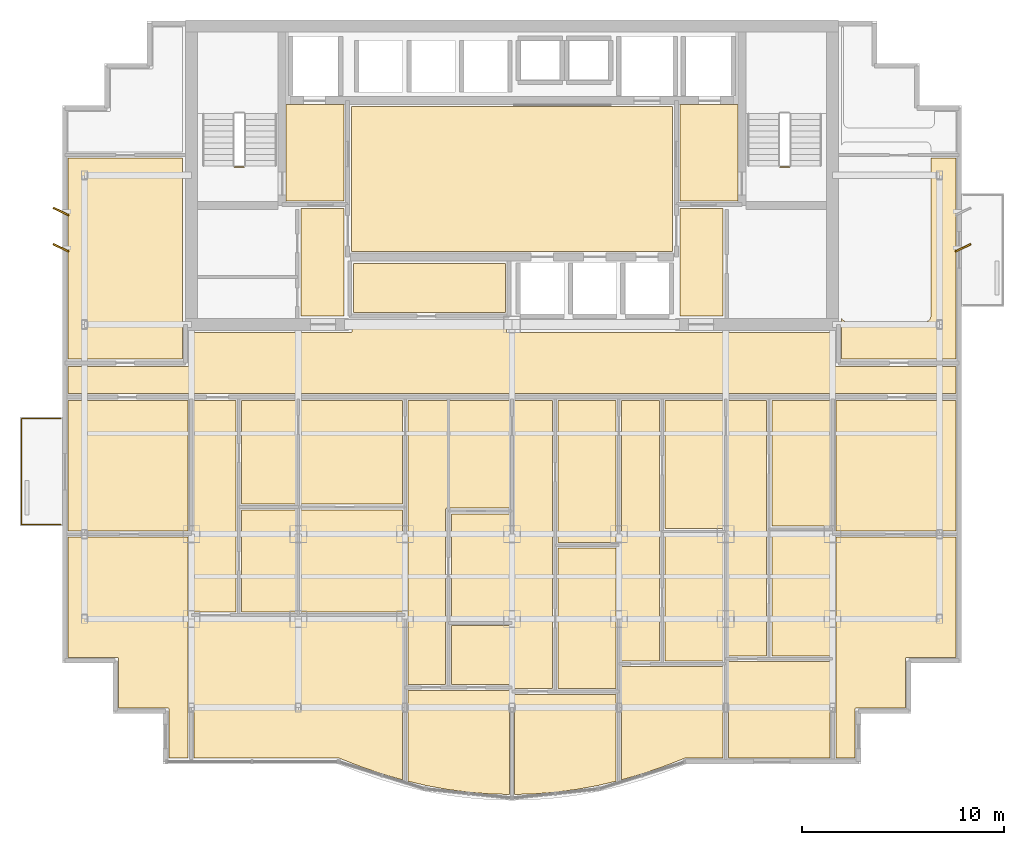
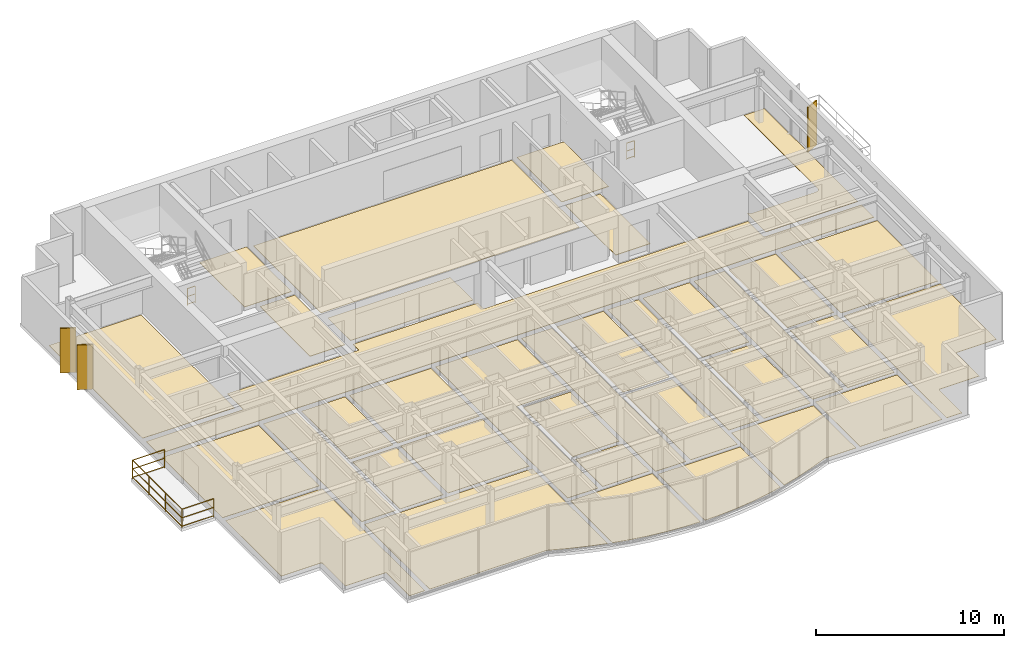
# One storey, part 10 of 11: 35 coverings, 3 railings, 3 shading devices.
"""IFC4 building model written with IfcOpenShell, lengths in metres."""

from ifc_helpers import new_model, si_unit, direction, frame, origin, origin_2d, place, context, subcontext, project, spatial, polyline, rectangle, circle, outline, extrude, source, transform, mapped, material, layer, layer_set, type_object, element, save


model = new_model("IFC4")

# Units and contexts
model_context = context("Model", 3, precision=1e-05, world=origin(), true_north=direction((0.0, 1.0)))
body_context = subcontext(model_context, "Body", "Model", "MODEL_VIEW")
ifc_project = project(units=[si_unit("LENGTHUNIT", "METRE"), si_unit("AREAUNIT", "SQUARE_METRE"), si_unit("VOLUMEUNIT", "CUBIC_METRE"), si_unit("PLANEANGLEUNIT", "RADIAN"), si_unit("MASSUNIT", "GRAM", prefix="KILO")], contexts=[model_context])

# Site, building, storey
site_placement = place(None, origin())
site = spatial("IfcSite", under=ifc_project, at=site_placement, CompositionType="ELEMENT")
building_placement = place(site_placement, origin())
building = spatial("IfcBuilding", under=site, at=building_placement, Name="Qianlan Lanfeng Residences", CompositionType="ELEMENT")
storey_placement = place(building_placement, frame((0.0, 0.0, 172.199951171875)))
storey = spatial("IfcBuildingStorey", under=building, at=storey_placement, Name="L47", CompositionType="ELEMENT", Elevation=172.199951171875)

# Coverings
ifc_material_1 = material(Name="Honed Taitung Granite Stone Flooring", Category="masonry")
ifc_layer_1 = layer(ifc_material_1, 0.030029296875)
ifc_layer_set_1 = layer_set([ifc_layer_1], Name="Honed Taitung Granite Stone Flooring")
covering_type_1 = type_object("IfcCoveringType", Name="FLR-STN-30", PredefinedType="FLOORING", material=ifc_layer_set_1)
covering_1_placement = place(storey_placement, origin())
element("IfcCovering", 1, at=covering_1_placement, inside=storey, type_object=covering_type_1, Name="L47 Firefighting Lift Lobby Floor Finish", PredefinedType="FLOORING", context=body_context, shape_type="SweptSolid", body=[
    extrude(outline(polyline([(15.2900390625, 31.320068359375), (18.179931640625, 31.320068359375), (18.179931640625, 36.110107421875), (15.2900390625, 36.110107421875), (15.2900390625, 31.320068359375)])), origin(), (0.0, 0.0, 1.0), 0.030029296875),
])
covering_2_placement = place(storey_placement, origin())
element("IfcCovering", 2, at=covering_2_placement, inside=storey, type_object=covering_type_1, Name="L47 Firefighting Lift Lobby Floor Finish", PredefinedType="FLOORING", context=body_context, shape_type="SweptSolid", body=[
    extrude(outline(polyline([(34.820068359375, 31.320068359375), (37.7099609375, 31.320068359375), (37.7099609375, 36.110107421875), (34.820068359375, 36.110107421875), (34.820068359375, 31.320068359375)])), origin(), (0.0, 0.0, 1.0), 0.030029296875),
])
covering_3_placement = place(storey_placement, origin())
element("IfcCovering", 3, at=covering_3_placement, inside=storey, type_object=covering_type_1, Name="L47 Lift Lobby Floor Finish", PredefinedType="FLOORING", context=body_context, shape_type="SweptSolid", body=[
    extrude(outline(polyline([(18.550048828125, 28.820068359375), (34.449951171875, 28.820068359375), (34.449951171875, 36.010009765625), (18.550048828125, 36.010009765625), (18.550048828125, 28.820068359375)])), origin(), (0.0, 0.0, 1.0), 0.030029296875),
])
covering_4_placement = place(storey_placement, origin())
element("IfcCovering", 4, at=covering_4_placement, inside=storey, type_object=covering_type_1, Name="L47 Residential Corridor Floor Finish", PredefinedType="FLOORING", context=body_context, shape_type="SweptSolid", body=[
    extrude(outline(polyline([(4.489990234375, 21.780029296875), (48.510009765625, 21.780029296875), (48.510009765625, 23.1201171875), (42.590087890625, 23.1201171875), (42.5830078125, 23.1201171875), (42.575927734375, 23.12109375), (42.570068359375, 23.123046875), (42.56298828125, 23.125), (42.556884765625, 23.1279296875), (42.551025390625, 23.132080078125), (42.5458984375, 23.135986328125), (42.541015625, 23.14111328125), (42.535888671875, 23.14599609375), (42.531982421875, 23.15087890625), (42.528076171875, 23.156982421875), (42.52490234375, 23.1630859375), (42.52294921875, 23.169921875), (42.52099609375, 23.176025390625), (42.52001953125, 23.18310546875), (42.52001953125, 23.18994140625), (42.52001953125, 24.800048828125), (26.300048828125, 24.800048828125), (26.29296875, 24.800048828125), (26.285888671875, 24.801025390625), (26.280029296875, 24.802978515625), (26.27294921875, 24.804931640625), (26.26708984375, 24.80810546875), (26.260986328125, 24.81201171875), (26.256103515625, 24.81591796875), (26.2509765625, 24.821044921875), (26.24609375, 24.825927734375), (26.241943359375, 24.8310546875), (26.238037109375, 24.8369140625), (26.235107421875, 24.843017578125), (26.23291015625, 24.85009765625), (26.23095703125, 24.85595703125), (26.22998046875, 24.863037109375), (26.22998046875, 24.8701171875), (26.22998046875, 25.429931640625), (18.570068359375, 25.429931640625), (18.570068359375, 24.8701171875), (18.570068359375, 24.863037109375), (18.569091796875, 24.85595703125), (18.56689453125, 24.85009765625), (18.56494140625, 24.843017578125), (18.56201171875, 24.8369140625), (18.55810546875, 24.8310546875), (18.553955078125, 24.825927734375), (18.549072265625, 24.821044921875), (18.5439453125, 24.81591796875), (18.5390625, 24.81201171875), (18.532958984375, 24.80810546875), (18.527099609375, 24.804931640625), (18.52001953125, 24.802978515625), (18.513916015625, 24.801025390625), (18.507080078125, 24.800048828125), (18.5, 24.800048828125), (10.47998046875, 24.800048828125), (10.47998046875, 23.18994140625), (10.47998046875, 23.18310546875), (10.47900390625, 23.176025390625), (10.47705078125, 23.169921875), (10.47509765625, 23.1630859375), (10.471923828125, 23.156982421875), (10.468017578125, 23.15087890625), (10.464111328125, 23.14599609375), (10.458984375, 23.14111328125), (10.4541015625, 23.135986328125), (10.448974609375, 23.132080078125), (10.443115234375, 23.1279296875), (10.43701171875, 23.125), (10.429931640625, 23.123046875), (10.424072265625, 23.12109375), (10.4169921875, 23.1201171875), (10.409912109375, 23.1201171875), (4.489990234375, 23.1201171875), (4.489990234375, 21.780029296875)])), origin(), (0.0, 0.0, 1.0), 0.030029296875),
])
covering_5_placement = place(storey_placement, origin())
element("IfcCovering", 5, at=covering_5_placement, inside=storey, type_object=covering_type_1, Name="L47 Lift Lobby Floor Finish", PredefinedType="FLOORING", context=body_context, shape_type="SweptSolid", body=[
    extrude(outline(polyline([(16.030029296875, 25.610107421875), (18.169921875, 25.610107421875), (18.169921875, 30.949951171875), (16.030029296875, 30.949951171875), (16.030029296875, 25.610107421875)])), origin(), (0.0, 0.0, 1.0), 0.030029296875),
])
covering_6_placement = place(storey_placement, origin())
element("IfcCovering", 6, at=covering_6_placement, inside=storey, type_object=covering_type_1, Name="L47 Lift Lobby Floor Finish", PredefinedType="FLOORING", context=body_context, shape_type="SweptSolid", body=[
    extrude(outline(polyline([(34.830078125, 25.610107421875), (36.969970703125, 25.610107421875), (36.969970703125, 30.949951171875), (34.830078125, 30.949951171875), (34.830078125, 25.610107421875)])), origin(), (0.0, 0.0, 1.0), 0.030029296875),
])
ifc_material_2 = material(Name="Slip-Resistant Porcelain Tile Flooring")
ifc_layer_2 = layer(ifc_material_2, 0.02001953125)
ifc_layer_set_2 = layer_set([ifc_layer_2], Name="Slip-Resistant Porcelain Tile Flooring")
covering_type_2 = type_object("IfcCoveringType", Name="FLR-TIL-20", PredefinedType="FLOORING", material=ifc_layer_set_2)
covering_7_placement = place(storey_placement, origin())
element("IfcCovering", 7, at=covering_7_placement, inside=storey, type_object=covering_type_2, Name="L47 Kitchen Floor Finish", PredefinedType="FLOORING", context=body_context, shape_type="SweptSolid", body=[
    extrude(outline(polyline([(13.090087890625, 10.929931640625), (15.760009765625, 10.929931640625), (15.760009765625, 16.0048828125), (13.090087890625, 16.0048828125), (13.090087890625, 10.929931640625)])), origin(), (0.0, 0.0, 1.0), 0.02001953125),
])
covering_8_placement = place(storey_placement, origin())
element("IfcCovering", 8, at=covering_8_placement, inside=storey, type_object=covering_type_2, Name="L47 Bathroom Floor Finish", PredefinedType="FLOORING", context=body_context, shape_type="SweptSolid", body=[
    extrude(outline(polyline([(13.090087890625, 16.284912109375), (15.760009765625, 16.284912109375), (15.760009765625, 21.429931640625), (13.090087890625, 21.429931640625), (13.090087890625, 16.284912109375)])), origin(), (0.0, 0.0, 1.0), 0.02001953125),
])
covering_9_placement = place(storey_placement, origin())
element("IfcCovering", 9, at=covering_9_placement, inside=storey, type_object=covering_type_2, Name="L47 En-Suite Bathroom Floor Finish", PredefinedType="FLOORING", context=body_context, shape_type="SweptSolid", body=[
    extrude(outline(polyline([(23.489990234375, 7.339111328125), (26.3701171875, 7.339111328125), (26.3701171875, 10.259033203125), (23.489990234375, 10.259033203125), (23.489990234375, 7.339111328125)])), origin(), (0.0, 0.0, 1.0), 0.02001953125),
])
ifc_material_3 = material(Name="Engineered Smoked Oak Timber Flooring", Category="wood")
ifc_layer_3 = layer(ifc_material_3, 0.02197265625)
ifc_layer_set_3 = layer_set([ifc_layer_3], Name="Engineered Smoked Oak Timber Flooring")
covering_type_3 = type_object("IfcCoveringType", Name="FLR-TIM-22", PredefinedType="FLOORING", material=ifc_layer_set_3)
covering_10_placement = place(storey_placement, origin())
element("IfcCovering", 10, at=covering_10_placement, inside=storey, type_object=covering_type_3, Name="L47 Gallery Salon Floor Finish", PredefinedType="FLOORING", context=body_context, shape_type="SweptSolid", body=[
    extrude(outline(polyline([(18.6298828125, 25.800048828125), (26.169921875, 25.800048828125), (26.169921875, 28.22998046875), (18.6298828125, 28.22998046875), (18.6298828125, 25.800048828125)])), origin(), (0.0, 0.0, 1.0), 0.02197265625),
])
covering_11_placement = place(storey_placement, origin())
element("IfcCovering", 11, at=covering_11_placement, inside=storey, type_object=covering_type_3, Name="L47 Living and Dining Room Floor Finish", PredefinedType="FLOORING", context=body_context, shape_type="SweptSolid", body=[
    extrude(outline(polyline([(10.72998046875, 10.64990234375), (10.72998046875, 3.68994140625), (17.922119140625, 3.68994140625), (17.927978515625, 3.68994140625), (17.93505859375, 3.68896484375), (17.94091796875, 3.68701171875), (17.947021484375, 3.68505859375), (19.056884765625, 3.25), (20.1220703125, 2.888916015625), (21.070068359375, 2.616943359375), (21.070068359375, 10.64990234375), (10.72998046875, 10.64990234375)])), origin(), (0.0, 0.0, 1.0), 0.02197265625),
])
covering_12_placement = place(storey_placement, origin())
element("IfcCovering", 12, at=covering_12_placement, inside=storey, type_object=covering_type_3, Name="L47 Family Sitting Room Floor Finish", PredefinedType="FLOORING", context=body_context, shape_type="SweptSolid", body=[
    extrude(outline(polyline([(10.72998046875, 10.929931640625), (12.81005859375, 10.929931640625), (12.81005859375, 21.429931640625), (10.72998046875, 21.429931640625), (10.72998046875, 10.929931640625)])), origin(), (0.0, 0.0, 1.0), 0.02197265625),
])
covering_13_placement = place(storey_placement, origin())
element("IfcCovering", 13, at=covering_13_placement, inside=storey, type_object=covering_type_3, Name="L47 Community Library Floor Finish", PredefinedType="FLOORING", context=body_context, shape_type="SweptSolid", body=[
    extrude(outline(polyline([(16.0400390625, 10.929931640625), (21.06005859375, 10.929931640625), (21.06005859375, 16.0048828125), (16.0400390625, 16.0048828125), (16.0400390625, 10.929931640625)])), origin(), (0.0, 0.0, 1.0), 0.02197265625),
])
covering_14_placement = place(storey_placement, origin())
element("IfcCovering", 14, at=covering_14_placement, inside=storey, type_object=covering_type_3, Name="L47 Home Office Floor Finish", PredefinedType="FLOORING", context=body_context, shape_type="SweptSolid", body=[
    extrude(outline(polyline([(16.0400390625, 16.284912109375), (21.06005859375, 16.284912109375), (21.06005859375, 21.429931640625), (16.0400390625, 21.429931640625), (16.0400390625, 16.284912109375)])), origin(), (0.0, 0.0, 1.0), 0.02197265625),
])
covering_15_placement = place(storey_placement, origin())
element("IfcCovering", 15, at=covering_15_placement, inside=storey, type_object=covering_type_3, Name="L47 Private Study Floor Finish", PredefinedType="FLOORING", context=body_context, shape_type="SweptSolid", body=[
    extrude(outline(polyline([(23.489990234375, 10.5390625), (26.3701171875, 10.5390625), (26.3701171875, 15.81005859375), (23.489990234375, 15.81005859375), (23.489990234375, 10.5390625)])), origin(), (0.0, 0.0, 1.0), 0.02197265625),
])
covering_16_placement = place(storey_placement, origin())
element("IfcCovering", 16, at=covering_16_placement, inside=storey, type_object=covering_type_3, Name="L47 Villa Family Sitting Room Floor Finish", PredefinedType="FLOORING", context=body_context, shape_type="SweptSolid", body=[
    extrude(outline(polyline([(21.330078125, 7.339111328125), (23.2099609375, 7.339111328125), (23.2099609375, 16.02001953125), (23.2099609375, 16.027099609375), (23.2109375, 16.033935546875), (23.212890625, 16.0400390625), (23.215087890625, 16.047119140625), (23.218017578125, 16.052978515625), (23.221923828125, 16.05908203125), (23.22607421875, 16.06396484375), (23.23095703125, 16.069091796875), (23.236083984375, 16.073974609375), (23.240966796875, 16.077880859375), (23.2470703125, 16.08203125), (23.2529296875, 16.0849609375), (23.260009765625, 16.0869140625), (23.26611328125, 16.089111328125), (23.27294921875, 16.090087890625), (23.280029296875, 16.090087890625), (26.3701171875, 16.090087890625), (26.3701171875, 21.429931640625), (21.330078125, 21.429931640625), (21.330078125, 7.339111328125)])), origin(), (0.0, 0.0, 1.0), 0.02197265625),
])
covering_17_placement = place(storey_placement, origin())
element("IfcCovering", 17, at=covering_17_placement, inside=storey, type_object=covering_type_3, Name="L47 Master Bedroom Floor Finish", PredefinedType="FLOORING", context=body_context, shape_type="SweptSolid", body=[
    extrude(outline(polyline([(21.330078125, 7.05908203125), (21.330078125, 2.550048828125), (22.2490234375, 2.333984375), (23.31201171875, 2.139892578125), (24.375, 2.001953125), (25.43701171875, 1.91796875), (26.3701171875, 1.89306640625), (26.3701171875, 7.05908203125), (21.330078125, 7.05908203125)])), origin(), (0.0, 0.0, 1.0), 0.02197265625),
])
covering_18_placement = place(storey_placement, origin())
element("IfcCovering", 18, at=covering_18_placement, inside=storey, type_object=covering_type_3, Name="L47 Guest Bedroom Floor Finish", PredefinedType="FLOORING", context=body_context, shape_type="SweptSolid", body=[
    extrude(outline(polyline([(26.6298828125, 6.85888671875), (26.6298828125, 1.89306640625), (27.56298828125, 1.91796875), (28.625, 2.0009765625), (29.68701171875, 2.139892578125), (30.7509765625, 2.333984375), (31.669921875, 2.550048828125), (31.669921875, 6.85888671875), (26.6298828125, 6.85888671875)])), origin(), (0.0, 0.0, 1.0), 0.02197265625),
])
covering_19_placement = place(storey_placement, origin())
element("IfcCovering", 19, at=covering_19_placement, inside=storey, type_object=covering_type_3, Name="L47 Private Study Floor Finish", PredefinedType="FLOORING", context=body_context, shape_type="SweptSolid", body=[
    extrude(outline(polyline([(28.7900390625, 7.138916015625), (31.669921875, 7.138916015625), (31.669921875, 14.10888671875), (28.7900390625, 14.10888671875), (28.7900390625, 7.138916015625)])), origin(), (0.0, 0.0, 1.0), 0.02197265625),
])
covering_20_placement = place(storey_placement, origin())
element("IfcCovering", 20, at=covering_20_placement, inside=storey, type_object=covering_type_3, Name="L47 Community Library Floor Finish", PredefinedType="FLOORING", context=body_context, shape_type="SweptSolid", body=[
    extrude(outline(polyline([(28.7900390625, 14.388916015625), (31.669921875, 14.388916015625), (31.669921875, 21.429931640625), (28.7900390625, 21.429931640625), (28.7900390625, 14.388916015625)])), origin(), (0.0, 0.0, 1.0), 0.02197265625),
])
covering_21_placement = place(storey_placement, origin())
element("IfcCovering", 21, at=covering_21_placement, inside=storey, type_object=covering_type_3, Name="L47 Home Office Floor Finish", PredefinedType="FLOORING", context=body_context, shape_type="SweptSolid", body=[
    extrude(outline(polyline([(26.6298828125, 7.138916015625), (28.510009765625, 7.138916015625), (28.510009765625, 21.429931640625), (26.6298828125, 21.429931640625), (26.6298828125, 7.138916015625)])), origin(), (0.0, 0.0, 1.0), 0.02197265625),
])
covering_22_placement = place(storey_placement, origin())
element("IfcCovering", 22, at=covering_22_placement, inside=storey, type_object=covering_type_3, Name="L47 Guest Bedroom Floor Finish", PredefinedType="FLOORING", context=body_context, shape_type="SweptSolid", body=[
    extrude(outline(polyline([(31.929931640625, 8.23388671875), (31.929931640625, 2.616943359375), (32.8779296875, 2.888916015625), (33.94189453125, 3.25), (35.052978515625, 3.68505859375), (35.05908203125, 3.68701171875), (35.06494140625, 3.68896484375), (35.072021484375, 3.68994140625), (35.077880859375, 3.68994140625), (36.969970703125, 3.68994140625), (36.969970703125, 8.23388671875), (31.929931640625, 8.23388671875)])), origin(), (0.0, 0.0, 1.0), 0.02197265625),
])
covering_23_placement = place(storey_placement, origin())
element("IfcCovering", 23, at=covering_23_placement, inside=storey, type_object=covering_type_3, Name="L47 Private Study Floor Finish", PredefinedType="FLOORING", context=body_context, shape_type="SweptSolid", body=[
    extrude(outline(polyline([(34.090087890625, 8.513916015625), (36.969970703125, 8.513916015625), (36.969970703125, 14.797119140625), (34.090087890625, 14.797119140625), (34.090087890625, 8.513916015625)])), origin(), (0.0, 0.0, 1.0), 0.02197265625),
])
covering_24_placement = place(storey_placement, origin())
element("IfcCovering", 24, at=covering_24_placement, inside=storey, type_object=covering_type_3, Name="L47 Community Library Floor Finish", PredefinedType="FLOORING", context=body_context, shape_type="SweptSolid", body=[
    extrude(outline(polyline([(34.090087890625, 15.076904296875), (36.969970703125, 15.076904296875), (36.969970703125, 21.429931640625), (34.090087890625, 21.429931640625), (34.090087890625, 15.076904296875)])), origin(), (0.0, 0.0, 1.0), 0.02197265625),
])
covering_25_placement = place(storey_placement, origin())
element("IfcCovering", 25, at=covering_25_placement, inside=storey, type_object=covering_type_3, Name="L47 Home Office Floor Finish", PredefinedType="FLOORING", context=body_context, shape_type="SweptSolid", body=[
    extrude(outline(polyline([(31.929931640625, 8.513916015625), (33.81005859375, 8.513916015625), (33.81005859375, 21.429931640625), (31.929931640625, 21.429931640625), (31.929931640625, 8.513916015625)])), origin(), (0.0, 0.0, 1.0), 0.02197265625),
])
covering_26_placement = place(storey_placement, origin())
element("IfcCovering", 26, at=covering_26_placement, inside=storey, type_object=covering_type_3, Name="L47 Guest Bedroom Floor Finish", PredefinedType="FLOORING", context=body_context, shape_type="SweptSolid", body=[
    extrude(outline(polyline([(37.22998046875, 8.47998046875), (37.22998046875, 3.68994140625), (42.27001953125, 3.68994140625), (42.27001953125, 8.47998046875), (37.22998046875, 8.47998046875)])), origin(), (0.0, 0.0, 1.0), 0.02197265625),
])
covering_27_placement = place(storey_placement, origin())
element("IfcCovering", 27, at=covering_27_placement, inside=storey, type_object=covering_type_3, Name="L47 Private Study Floor Finish", PredefinedType="FLOORING", context=body_context, shape_type="SweptSolid", body=[
    extrude(outline(polyline([(39.389892578125, 8.760009765625), (42.27001953125, 8.760009765625), (42.27001953125, 14.919921875), (39.389892578125, 14.919921875), (39.389892578125, 8.760009765625)])), origin(), (0.0, 0.0, 1.0), 0.02197265625),
])
covering_28_placement = place(storey_placement, origin())
element("IfcCovering", 28, at=covering_28_placement, inside=storey, type_object=covering_type_3, Name="L47 Community Library Floor Finish", PredefinedType="FLOORING", context=body_context, shape_type="SweptSolid", body=[
    extrude(outline(polyline([(39.389892578125, 15.199951171875), (42.27001953125, 15.199951171875), (42.27001953125, 21.429931640625), (39.389892578125, 21.429931640625), (39.389892578125, 15.199951171875)])), origin(), (0.0, 0.0, 1.0), 0.02197265625),
])
covering_29_placement = place(storey_placement, origin())
element("IfcCovering", 29, at=covering_29_placement, inside=storey, type_object=covering_type_3, Name="L47 Home Office Floor Finish", PredefinedType="FLOORING", context=body_context, shape_type="SweptSolid", body=[
    extrude(outline(polyline([(37.22998046875, 8.760009765625), (39.110107421875, 8.760009765625), (39.110107421875, 21.429931640625), (37.22998046875, 21.429931640625), (37.22998046875, 8.760009765625)])), origin(), (0.0, 0.0, 1.0), 0.02197265625),
])
covering_30_placement = place(storey_placement, origin())
element("IfcCovering", 30, at=covering_30_placement, inside=storey, type_object=covering_type_3, Name="L47 Sunroom Floor Finish", PredefinedType="FLOORING", context=body_context, shape_type="SweptSolid", body=[
    extrude(outline(polyline([(10.43994140625, 14.64990234375), (4.489990234375, 14.64990234375), (4.489990234375, 8.68994140625), (6.919921875, 8.68994140625), (6.927001953125, 8.68994140625), (6.93408203125, 8.68896484375), (6.93994140625, 8.68701171875), (6.947021484375, 8.68505859375), (6.952880859375, 8.681884765625), (6.958984375, 8.677978515625), (6.964111328125, 8.674072265625), (6.968994140625, 8.6689453125), (6.97412109375, 8.6640625), (6.97802734375, 8.658935546875), (6.98193359375, 8.653076171875), (6.985107421875, 8.64697265625), (6.987060546875, 8.639892578125), (6.989013671875, 8.634033203125), (6.989990234375, 8.626953125), (6.989990234375, 8.6201171875), (6.989990234375, 6.18994140625), (9.419921875, 6.18994140625), (9.427001953125, 6.18994140625), (9.43408203125, 6.18896484375), (9.43994140625, 6.18701171875), (9.447021484375, 6.18505859375), (9.452880859375, 6.181884765625), (9.458984375, 6.177978515625), (9.464111328125, 6.174072265625), (9.468994140625, 6.1689453125), (9.47412109375, 6.1640625), (9.47802734375, 6.158935546875), (9.48193359375, 6.153076171875), (9.485107421875, 6.14697265625), (9.487060546875, 6.139892578125), (9.489013671875, 6.134033203125), (9.489990234375, 6.126953125), (9.489990234375, 6.1201171875), (9.489990234375, 3.68994140625), (10.43994140625, 3.68994140625), (10.43994140625, 14.64990234375)])), origin(), (0.0, 0.0, 1.0), 0.02197265625),
])
covering_31_placement = place(storey_placement, origin())
element("IfcCovering", 31, at=covering_31_placement, inside=storey, type_object=covering_type_3, Name="L47 Family Sitting Room Floor Finish", PredefinedType="FLOORING", context=body_context, shape_type="SweptSolid", body=[
    extrude(outline(polyline([(10.43994140625, 21.429931640625), (4.489990234375, 21.429931640625), (4.489990234375, 14.949951171875), (10.43994140625, 14.949951171875), (10.43994140625, 21.429931640625)])), origin(), (0.0, 0.0, 1.0), 0.02197265625),
])
covering_32_placement = place(storey_placement, origin())
element("IfcCovering", 32, at=covering_32_placement, inside=storey, type_object=covering_type_3, Name="L47 Sunroom Floor Finish", PredefinedType="FLOORING", context=body_context, shape_type="SweptSolid", body=[
    extrude(outline(polyline([(48.510009765625, 14.64990234375), (42.56005859375, 14.64990234375), (42.56005859375, 3.68994140625), (43.510009765625, 3.68994140625), (43.510009765625, 6.1201171875), (43.510009765625, 6.126953125), (43.510986328125, 6.134033203125), (43.512939453125, 6.139892578125), (43.514892578125, 6.14697265625), (43.51806640625, 6.153076171875), (43.52197265625, 6.158935546875), (43.52587890625, 6.1640625), (43.531005859375, 6.1689453125), (43.535888671875, 6.174072265625), (43.541015625, 6.177978515625), (43.547119140625, 6.181884765625), (43.552978515625, 6.18505859375), (43.56005859375, 6.18701171875), (43.56591796875, 6.18896484375), (43.572998046875, 6.18994140625), (43.580078125, 6.18994140625), (46.010009765625, 6.18994140625), (46.010009765625, 8.6201171875), (46.010009765625, 8.626953125), (46.010986328125, 8.634033203125), (46.012939453125, 8.639892578125), (46.014892578125, 8.64697265625), (46.01806640625, 8.653076171875), (46.02197265625, 8.658935546875), (46.02587890625, 8.6640625), (46.031005859375, 8.6689453125), (46.035888671875, 8.674072265625), (46.041015625, 8.677978515625), (46.047119140625, 8.681884765625), (46.052978515625, 8.68505859375), (46.06005859375, 8.68701171875), (46.06591796875, 8.68896484375), (46.072998046875, 8.68994140625), (46.080078125, 8.68994140625), (48.510009765625, 8.68994140625), (48.510009765625, 14.64990234375)])), origin(), (0.0, 0.0, 1.0), 0.02197265625),
])
covering_33_placement = place(storey_placement, origin())
element("IfcCovering", 33, at=covering_33_placement, inside=storey, type_object=covering_type_3, Name="L47 Private Study Floor Finish", PredefinedType="FLOORING", context=body_context, shape_type="SweptSolid", body=[
    extrude(outline(polyline([(48.510009765625, 21.429931640625), (42.56005859375, 21.429931640625), (42.56005859375, 14.949951171875), (48.510009765625, 14.949951171875), (48.510009765625, 21.429931640625)])), origin(), (0.0, 0.0, 1.0), 0.02197265625),
])
covering_34_placement = place(storey_placement, origin())
element("IfcCovering", 34, at=covering_34_placement, inside=storey, type_object=covering_type_3, Name="L47 Fitness Gymnasium Floor Finish", PredefinedType="FLOORING", context=body_context, shape_type="SweptSolid", body=[
    extrude(outline(polyline([(10.14990234375, 33.449951171875), (4.489990234375, 33.449951171875), (4.489990234375, 23.47998046875), (10.14990234375, 23.47998046875), (10.14990234375, 33.449951171875)])), origin(), (0.0, 0.0, 1.0), 0.02197265625),
])
covering_35_placement = place(storey_placement, origin())
element("IfcCovering", 35, at=covering_35_placement, inside=storey, type_object=covering_type_3, Name="L47 Fitness Gymnasium Floor Finish", PredefinedType="FLOORING", context=body_context, shape_type="SweptSolid", body=[
    extrude(outline(polyline([(48.510009765625, 33.449951171875), (47.27001953125, 33.449951171875), (47.27001953125, 25.60009765625), (47.26904296875, 25.574951171875), (47.264892578125, 25.551025390625), (47.259033203125, 25.527099609375), (47.2509765625, 25.50390625), (47.239990234375, 25.48193359375), (47.22802734375, 25.4609375), (47.212890625, 25.44091796875), (47.197021484375, 25.423095703125), (47.178955078125, 25.406982421875), (47.158935546875, 25.39208984375), (47.137939453125, 25.3798828125), (47.115966796875, 25.368896484375), (47.093017578125, 25.361083984375), (47.069091796875, 25.35498046875), (47.044921875, 25.35107421875), (47.02001953125, 25.35009765625), (43.080078125, 25.35009765625), (43.054931640625, 25.35107421875), (43.031005859375, 25.35498046875), (43.007080078125, 25.361083984375), (42.98388671875, 25.368896484375), (42.9619140625, 25.3798828125), (42.94091796875, 25.39208984375), (42.9208984375, 25.406982421875), (42.903076171875, 25.423095703125), (42.886962890625, 25.44091796875), (42.8720703125, 25.4609375), (42.860107421875, 25.48193359375), (42.85009765625, 25.501953125), (42.85009765625, 23.47998046875), (48.510009765625, 23.47998046875), (48.510009765625, 33.449951171875)])), origin(), (0.0, 0.0, 1.0), 0.02197265625),
])

# Railings
ifc_material_4 = material(Name="Anodised Bronze Aluminium and Laminated Glass Guard Balustrade", Category="aluminium")
railing_type_1 = type_object("IfcRailingType", Name="GR-EXT-1220", PredefinedType="BALUSTRADE", material=ifc_material_4)
railing_placement = place(storey_placement, frame((4.1298828125, 15.27001953125, 0.0)))
element("IfcRailing", 36, at=railing_placement, inside=storey, type_object=railing_type_1, Name="L47 Terrace Safety Guard GR-L47-WB-S", PredefinedType="BALUSTRADE", context=body_context, shape_type="SweptSolid", body=[
    extrude(circle(Radius=0.02490234375, at=origin_2d()), frame((0.0, 0.0, 0.0849609375), z_axis=(-1.0, 0.0, 0.0), x_axis=(0.0, -1.0, 0.0)), (0.0, 0.0, 1.0), 1.9599609375),
    extrude(circle(Radius=0.02490234375, at=origin_2d()), frame((0.0, 0.0, 0.63427734375), z_axis=(-1.0, 0.0, 0.0), x_axis=(0.0, -1.0, 0.0)), (0.0, 0.0, 1.0), 1.9599609375),
    extrude(circle(Radius=0.02490234375, at=origin_2d()), frame((0.0, 0.0, 1.19482421875), z_axis=(-1.0, 0.0, 0.0), x_axis=(0.0, -1.0, 0.0)), (0.0, 0.0, 1.0), 1.9599609375),
    extrude(circle(Radius=0.02490234375, at=origin_2d()), frame((-1.9599609375, 0.0, 0.0849609375), z_axis=(0.0, 1.0, 0.0), x_axis=(-1.0, 0.0, 0.0)), (0.0, 0.0, 1.0), 5.260009765625),
    extrude(circle(Radius=0.02490234375, at=origin_2d()), frame((-1.9599609375, 0.0, 0.63427734375), z_axis=(0.0, 1.0, 0.0), x_axis=(-1.0, 0.0, 0.0)), (0.0, 0.0, 1.0), 5.260009765625),
    extrude(circle(Radius=0.02490234375, at=origin_2d()), frame((-1.9599609375, 0.0, 1.19482421875), z_axis=(0.0, 1.0, 0.0), x_axis=(-1.0, 0.0, 0.0)), (0.0, 0.0, 1.0), 5.260009765625),
    extrude(circle(Radius=0.02490234375, at=origin_2d()), frame((-1.9599609375, 5.260009765625, 0.0849609375), z_axis=(1.0, 0.0, 0.0), x_axis=(0.0, 1.0, 0.0)), (0.0, 0.0, 1.0), 1.9599609375),
    extrude(circle(Radius=0.02490234375, at=origin_2d()), frame((-1.9599609375, 5.260009765625, 0.63427734375), z_axis=(1.0, 0.0, 0.0), x_axis=(0.0, 1.0, 0.0)), (0.0, 0.0, 1.0), 1.9599609375),
    extrude(circle(Radius=0.02490234375, at=origin_2d()), frame((-1.9599609375, 5.260009765625, 1.19482421875), z_axis=(1.0, 0.0, 0.0), x_axis=(0.0, 1.0, 0.0)), (0.0, 0.0, 1.0), 1.9599609375),
    extrude(circle(Radius=0.02099609375, at=origin_2d()), origin(), (0.0, 0.0, 1.0), 1.169921875),
    extrude(circle(Radius=0.02099609375, at=origin_2d()), frame((-1.9599609375, 0.0, 0.0)), (0.0, 0.0, 1.0), 1.169921875),
    extrude(circle(Radius=0.02099609375, at=origin_2d()), frame((-1.9599609375, 1.75341796875, 0.0)), (0.0, 0.0, 1.0), 1.169921875),
    extrude(circle(Radius=0.02099609375, at=origin_2d()), frame((-1.9599609375, 3.506591796875, 0.0)), (0.0, 0.0, 1.0), 1.169921875),
    extrude(circle(Radius=0.02099609375, at=origin_2d()), frame((-1.9599609375, 5.260009765625, 0.0)), (0.0, 0.0, 1.0), 1.169921875),
    extrude(circle(Radius=0.02099609375, at=origin_2d()), frame((0.0, 5.260009765625, 0.0)), (0.0, 0.0, 1.0), 1.169921875),
])
ifc_material_5 = material(Name="Painted Galvanised Steel Guardrail", Category="steel")
railing_type_2 = type_object("IfcRailingType", Name="GR-ST-1120", PredefinedType="GUARDRAIL", material=ifc_material_5)
for number, where, name in (
    (37, (13.219970703125, 33.0, 0.0), "L47 ST-1 stair guard 4"),
    (38, (40.260009765625, 33.0, 0.0), "L47 ST-2 stair guard 4"),
):
    element("IfcRailing", number, at=place(storey_placement, frame(where)), inside=storey, type_object=railing_type_2, Name=name, PredefinedType="GUARDRAIL", context=body_context, shape_type="SweptSolid", body=[
        extrude(circle(Radius=0.02392578125, at=origin_2d()), frame((0.0, 0.0, 0.083984375), z_axis=(-1.0, 0.0, 0.0), x_axis=(0.0, -1.0, 0.0)), (0.0, 0.0, 1.0), 0.47998046875),
        extrude(circle(Radius=0.02392578125, at=origin_2d()), frame((0.0, 0.0, 0.58251953125), z_axis=(-1.0, 0.0, 0.0), x_axis=(0.0, -1.0, 0.0)), (0.0, 0.0, 1.0), 0.47998046875),
        extrude(circle(Radius=0.02392578125, at=origin_2d()), frame((0.0, 0.0, 1.09619140625), z_axis=(-1.0, 0.0, 0.0), x_axis=(0.0, -1.0, 0.0)), (0.0, 0.0, 1.0), 0.47998046875),
        extrude(circle(Radius=0.02099609375, at=origin_2d()), origin(), (0.0, 0.0, 1.0), 1.072021484375),
        extrude(circle(Radius=0.02099609375, at=origin_2d()), frame((-0.47998046875, 0.0, 0.0)), (0.0, 0.0, 1.0), 1.072021484375),
    ])

# Shading devices
ifc_material_6 = material(Name="Anodised Bronze Aluminium Solar Fin", Category="aluminium")
shading_device_type = type_object("IfcShadingDeviceType", Name="FIN-BRZ-850", PredefinedType="SHUTTER", material=ifc_material_6)
shared_shape = source(origin(), body_context, "Body", "SweptSolid", [
    extrude(rectangle(XDim=0.85009765625, YDim=0.080078125, at=origin_2d()), origin(), (0.0, 0.0, 1.0), 2.89990234375),
])
for number, where, z_axis, x_axis, name in (
    (39, (4.1298828125, 29.0, 0.0), (0.0, 0.0, 1.0), (0.898794046299, -0.438371146789, 0.0), "L47 Raked Bronze Solar Fin W1"),
    (40, (4.1298828125, 30.800048828125, 0.0), (0.0, 0.0, 1.0), (0.898794046299, -0.438371146789, 0.0), "L47 Raked Bronze Solar Fin W2"),
    (41, (48.8701171875, 29.0, 0.0), (0.0, 0.0, 1.0), (0.898794046299, 0.438371146789, 0.0), "L47 Raked Bronze Solar Fin E1"),
):
    element("IfcShadingDevice", number, at=place(storey_placement, frame(where, z_axis=z_axis, x_axis=x_axis)), inside=storey, type_object=shading_device_type, Name=name, PredefinedType="SHUTTER", context=body_context, shape_type="MappedRepresentation", body=[
        mapped(shared_shape, transform((0.0, 0.0, 0.0), scale=1.0)),
    ])

save(model, "model.ifc")
